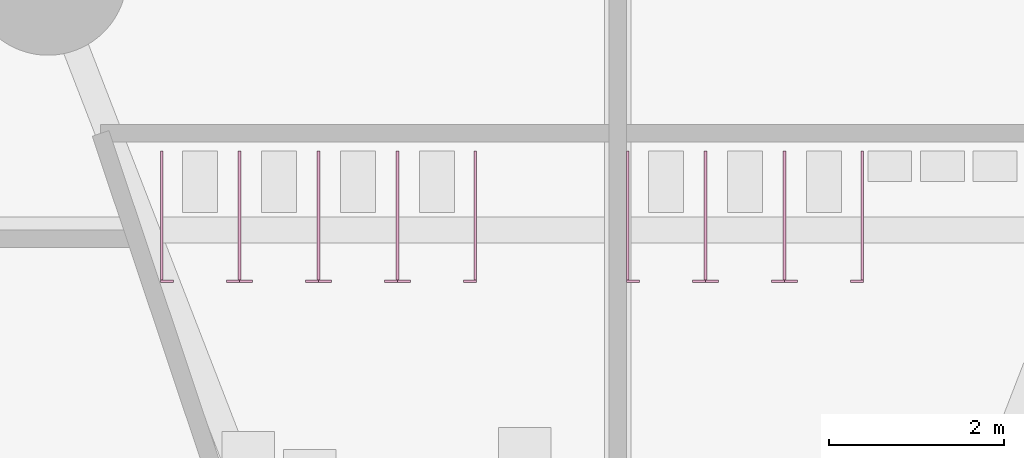
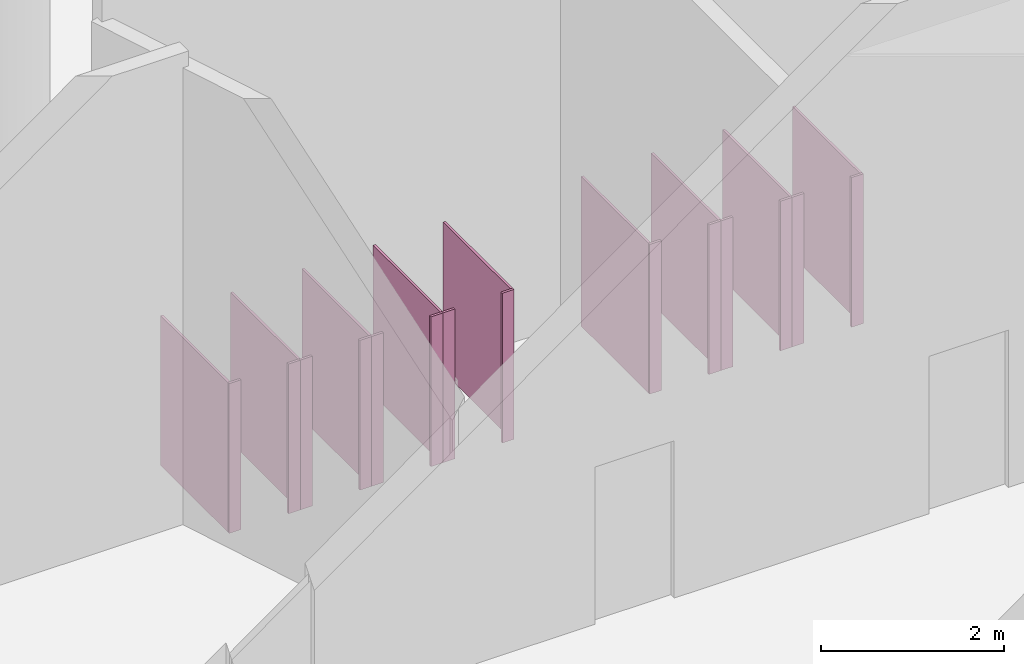
# One storey, part 22 of 22: 23 furniture elements.
"""IFC4 building model written with IfcOpenShell, lengths in metres."""

from ifc_helpers import new_model, si_unit, direction, frame, origin, origin_2d, place, context, subcontext, project, spatial, rectangle, extrude, element, save


model = new_model("IFC4")

# Units and contexts
model_context = context("Model", 3, precision=1e-05, world=origin(), true_north=direction((0.0, 1.0)))
body_context = subcontext(model_context, "Body", "Model", "MODEL_VIEW")
ifc_project = project(units=[si_unit("LENGTHUNIT", "METRE"), si_unit("AREAUNIT", "SQUARE_METRE"), si_unit("VOLUMEUNIT", "CUBIC_METRE"), si_unit("PLANEANGLEUNIT", "RADIAN"), si_unit("MASSUNIT", "GRAM", prefix="KILO")], contexts=[model_context])

# Site, building, storey
site_placement = place(None, origin())
site = spatial("IfcSite", under=ifc_project, at=site_placement, CompositionType="ELEMENT")
building_placement = place(site_placement, origin())
building = spatial("IfcBuilding", under=site, at=building_placement, Name="Hankou Lantern Tower", CompositionType="ELEMENT")
storey_placement = place(building_placement, origin())
storey = spatial("IfcBuildingStorey", under=building, at=storey_placement, Name="L00", CompositionType="ELEMENT", Elevation=0.0)

# Furniture
for number, where, z_axis, x_axis, name in (
    (1, (0.114990234375, 16.6650390625, 0.0), (0.0, 0.0, 1.0), (1.0, 0.0, 0.0), "Public male WC cubicle partition 1"),
    (2, (1.0, 16.6650390625, 0.0), (0.0, 0.0, 1.0), (1.0, 0.0, 0.0), "Public male WC cubicle partition 2"),
    (3, (1.89990234375, 16.6650390625, 0.0), (0.0, 0.0, 1.0), (1.0, 0.0, 0.0), "Public male WC cubicle partition 3"),
    (4, (2.784912109375, 16.6650390625, 0.0), (0.0, 0.0, 1.0), (1.0, 0.0, 0.0), "Public male WC cubicle partition 4"),
):
    element("IfcFurniture", number, at=place(storey_placement, frame(where, z_axis=z_axis, x_axis=x_axis)), inside=storey, Name=name, ObjectType="WC cubicle partition", PredefinedType="USERDEFINED", context=body_context, shape_type="SweptSolid", body=[
        extrude(rectangle(XDim=0.030029296875, YDim=1.469970703125, at=origin_2d()), origin(), (0.0, 0.0, 1.0), 2.0),
    ])
for number, where, z_axis, x_axis, name in (
    (5, (0.175048828125, 15.9150390625, 0.0), (0.0, 0.0, 1.0), (1.0, 0.0, 0.0), "Public male WC cubicle partition 5"),
    (6, (0.925048828125, 15.9150390625, 0.0), (0.0, 0.0, 1.0), (1.0, 0.0, 0.0), "Public male WC cubicle partition 6"),
    (7, (1.074951171875, 15.9150390625, 0.0), (0.0, 0.0, 1.0), (1.0, 0.0, 0.0), "Public male WC cubicle partition 7"),
    (8, (1.824951171875, 15.9150390625, 0.0), (0.0, 0.0, 1.0), (1.0, 0.0, 0.0), "Public male WC cubicle partition 8"),
    (9, (1.97509765625, 15.9150390625, 0.0), (0.0, 0.0, 1.0), (1.0, 0.0, 0.0), "Public male WC cubicle partition 9"),
    (10, (2.72509765625, 15.9150390625, 0.0), (0.0, 0.0, 1.0), (1.0, 0.0, 0.0), "Public male WC cubicle partition 10"),
):
    element("IfcFurniture", number, at=place(storey_placement, frame(where, z_axis=z_axis, x_axis=x_axis)), inside=storey, Name=name, ObjectType="WC cubicle partition", PredefinedType="USERDEFINED", context=body_context, shape_type="SweptSolid", body=[
        extrude(rectangle(XDim=0.14990234375, YDim=0.030029296875, at=origin_2d()), origin(), (0.0, 0.0, 1.0), 2.0),
    ])
for number, where, z_axis, x_axis, name in (
    (11, (-5.1962890625, 16.6650390625, 0.0), (0.0, 0.0, 1.0), (1.0, 0.0, 0.0), "Public female WC cubicle partition 1"),
    (12, (-4.311279296875, 16.6650390625, 0.0), (0.0, 0.0, 1.0), (1.0, 0.0, 0.0), "Public female WC cubicle partition 2"),
    (13, (-3.411376953125, 16.6650390625, 0.0), (0.0, 0.0, 1.0), (1.0, 0.0, 0.0), "Public female WC cubicle partition 3"),
    (14, (-2.511474609375, 16.6650390625, 0.0), (0.0, 0.0, 1.0), (1.0, 0.0, 0.0), "Public female WC cubicle partition 4"),
    (15, (-1.62646484375, 16.6650390625, 0.0), (0.0, 0.0, 1.0), (1.0, 0.0, 0.0), "Public female WC cubicle partition 5"),
):
    element("IfcFurniture", number, at=place(storey_placement, frame(where, z_axis=z_axis, x_axis=x_axis)), inside=storey, Name=name, ObjectType="WC cubicle partition", PredefinedType="USERDEFINED", context=body_context, shape_type="SweptSolid", body=[
        extrude(rectangle(XDim=0.030029296875, YDim=1.469970703125, at=origin_2d()), origin(), (0.0, 0.0, 1.0), 2.0),
    ])
for number, where, z_axis, x_axis, name in (
    (16, (-5.136474609375, 15.9150390625, 0.0), (0.0, 0.0, 1.0), (1.0, 0.0, 0.0), "Public female WC cubicle partition 6"),
    (17, (-4.386474609375, 15.9150390625, 0.0), (0.0, 0.0, 1.0), (1.0, 0.0, 0.0), "Public female WC cubicle partition 7"),
    (18, (-4.236328125, 15.9150390625, 0.0), (0.0, 0.0, 1.0), (1.0, 0.0, 0.0), "Public female WC cubicle partition 8"),
    (19, (-3.486328125, 15.9150390625, 0.0), (0.0, 0.0, 1.0), (1.0, 0.0, 0.0), "Public female WC cubicle partition 9"),
    (20, (-3.33642578125, 15.9150390625, 0.0), (0.0, 0.0, 1.0), (1.0, 0.0, 0.0), "Public female WC cubicle partition 10"),
    (21, (-2.58642578125, 15.9150390625, 0.0), (0.0, 0.0, 1.0), (1.0, 0.0, 0.0), "Public female WC cubicle partition 11"),
    (22, (-2.436279296875, 15.9150390625, 0.0), (0.0, 0.0, 1.0), (1.0, 0.0, 0.0), "Public female WC cubicle partition 12"),
    (23, (-1.686279296875, 15.9150390625, 0.0), (0.0, 0.0, 1.0), (1.0, 0.0, 0.0), "Public female WC cubicle partition 13"),
):
    element("IfcFurniture", number, at=place(storey_placement, frame(where, z_axis=z_axis, x_axis=x_axis)), inside=storey, Name=name, ObjectType="WC cubicle partition", PredefinedType="USERDEFINED", context=body_context, shape_type="SweptSolid", body=[
        extrude(rectangle(XDim=0.14990234375, YDim=0.030029296875, at=origin_2d()), origin(), (0.0, 0.0, 1.0), 2.0),
    ])

save(model, "model.ifc")
